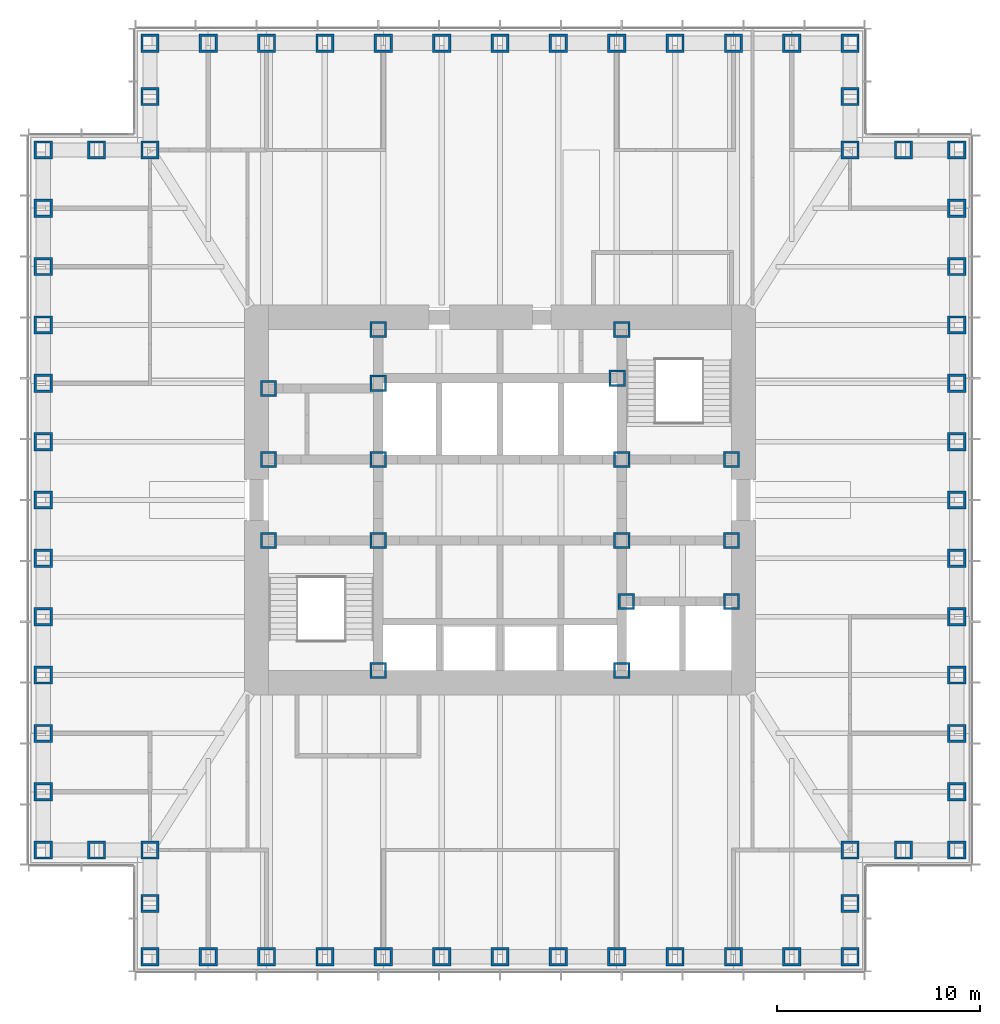
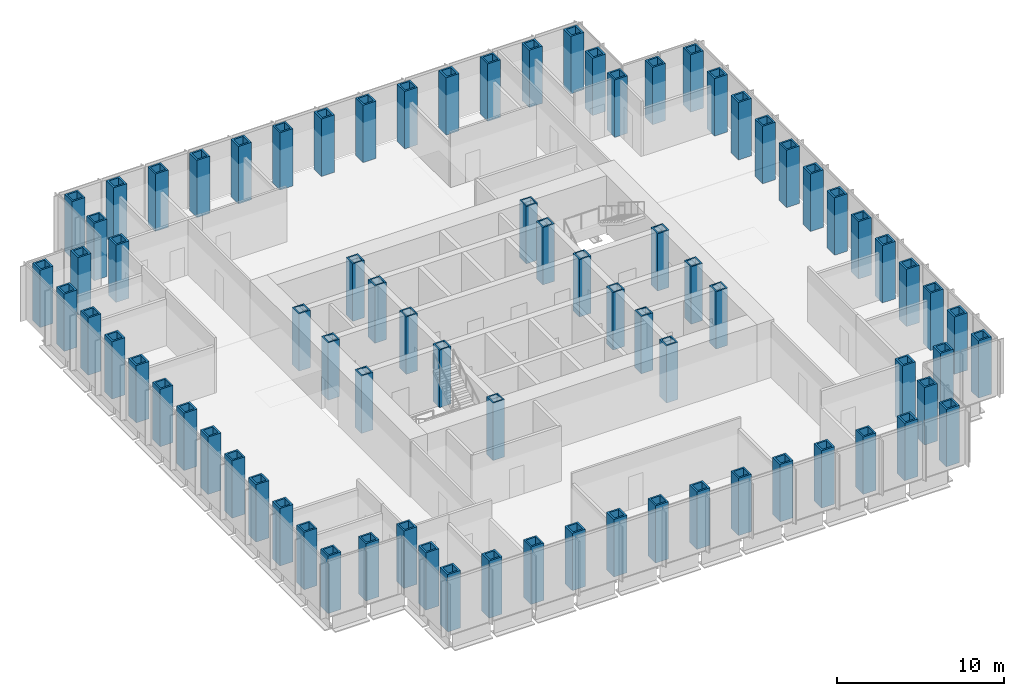
# One storey, part 1 of 17: 81 columns.
"""IFC4 building model written with IfcOpenShell, lengths in metres."""

from ifc_helpers import new_model, si_unit, direction, frame, origin, origin_2d, place, context, subcontext, project, spatial, hollow_rectangle, extrude, material, material_profile, profile_set, type_object, element, save


model = new_model("IFC4")

# Units and contexts
model_context = context("Model", 3, precision=1e-05, world=origin(), true_north=direction((0.0, 1.0)))
body_context = subcontext(model_context, "Body", "Model", "MODEL_VIEW")
ifc_project = project(units=[si_unit("LENGTHUNIT", "METRE"), si_unit("AREAUNIT", "SQUARE_METRE"), si_unit("VOLUMEUNIT", "CUBIC_METRE"), si_unit("PLANEANGLEUNIT", "RADIAN"), si_unit("MASSUNIT", "GRAM", prefix="KILO")], contexts=[model_context])

# Site, building, storey
site_placement = place(None, origin())
site = spatial("IfcSite", under=ifc_project, at=site_placement, CompositionType="ELEMENT")
building_placement = place(site_placement, origin())
building = spatial("IfcBuilding", under=site, at=building_placement, Name="Daluyong Arena Tower", CompositionType="ELEMENT")
storey_placement = place(building_placement, frame((0.0, 0.0, 145.89990234375)))
storey = spatial("IfcBuildingStorey", under=building, at=storey_placement, Name="L32", CompositionType="ELEMENT", Elevation=145.89990234375)

# Columns
ifc_material_1 = material(Name="Steel ASTM A572 Grade 50", Category="steel")
ifc_material_profile_1 = material_profile(ifc_material_1, hollow_rectangle(XDim=0.800048828125, YDim=0.800048828125, WallThickness=0.1, at=origin_2d()))
ifc_profile_set_1 = profile_set([ifc_material_profile_1], Name="Steel ASTM A572 Grade 50")
column_type_1 = type_object("IfcColumnType", Name="Core boundary column BX800X100", PredefinedType="COLUMN", material=ifc_profile_set_1)
for number, where, z_axis, x_axis, name in (
    (1, (44.60009765625, 78.0, 0.0), (0.0, 0.0, 1.0), (1.0, 0.0, 0.0), "core boundary column BC2"),
    (2, (44.60009765625, 82.0, 0.0), (0.0, 0.0, 1.0), (1.0, 0.0, 0.0), "core boundary column BC2"),
    (3, (44.60009765625, 85.5, 0.0), (0.0, 0.0, 1.0), (1.0, 0.0, 0.0), "core boundary column BC2"),
    (4, (50.0, 71.60009765625, 0.0), (0.0, 0.0, 1.0), (1.0, 0.0, 0.0), "core boundary column BC2"),
    (5, (50.0, 78.0, 0.0), (0.0, 0.0, 1.0), (1.0, 0.0, 0.0), "core boundary column BC2"),
    (6, (50.0, 82.0, 0.0), (0.0, 0.0, 1.0), (1.0, 0.0, 0.0), "core boundary column BC2"),
    (7, (50.0, 85.75, 0.0), (0.0, 0.0, 1.0), (1.0, 0.0, 0.0), "core boundary column BC2"),
    (8, (50.0, 88.39990234375, 0.0), (0.0, 0.0, 1.0), (1.0, 0.0, 0.0), "core boundary column BC2"),
    (9, (61.77490234375, 86.0, 0.0), (0.0, 0.0, 1.0), (1.0, 0.0, 0.0), "core boundary column BC2"),
    (10, (62.0, 71.60009765625, 0.0), (0.0, 0.0, 1.0), (1.0, 0.0, 0.0), "core boundary column BC2"),
    (11, (62.0, 78.0, 0.0), (0.0, 0.0, 1.0), (1.0, 0.0, 0.0), "core boundary column BC2"),
    (12, (62.0, 82.0, 0.0), (0.0, 0.0, 1.0), (1.0, 0.0, 0.0), "core boundary column BC2"),
    (13, (62.0, 88.39990234375, 0.0), (0.0, 0.0, 1.0), (1.0, 0.0, 0.0), "core boundary column BC2"),
    (14, (62.22509765625, 75.0, 0.0), (0.0, 0.0, 1.0), (1.0, 0.0, 0.0), "core boundary column BC2"),
    (15, (67.39990234375, 75.0, 0.0), (0.0, 0.0, 1.0), (1.0, 0.0, 0.0), "core boundary column BC2"),
    (16, (67.39990234375, 78.0, 0.0), (0.0, 0.0, 1.0), (1.0, 0.0, 0.0), "core boundary column BC2"),
    (17, (67.39990234375, 82.0, 0.0), (0.0, 0.0, 1.0), (1.0, 0.0, 0.0), "core boundary column BC2"),
):
    element("IfcColumn", number, at=place(storey_placement, frame(where, z_axis=z_axis, x_axis=x_axis)), inside=storey, type_object=column_type_1, Name=name, PredefinedType="COLUMN", context=body_context, shape_type="SweptSolid", body=[
        extrude(hollow_rectangle(XDim=0.800048828125, YDim=0.800048828125, WallThickness=0.1, at=origin_2d()), origin(), (0.0, 0.0, 1.0), 4.2001953125),
    ])
ifc_material_2 = material(Name="Steel ASTM A588 Grade 50", Category="steel")
ifc_material_profile_2 = material_profile(ifc_material_2, hollow_rectangle(XDim=0.89990234375, YDim=0.89990234375, WallThickness=0.12, at=origin_2d()))
ifc_profile_set_2 = profile_set([ifc_material_profile_2], Name="Steel ASTM A588 Grade 50")
column_type_2 = type_object("IfcColumnType", Name="Tube column BX900X120 BX900X120", PredefinedType="COLUMN", material=ifc_profile_set_2)
for number, where, z_axis, x_axis, name in (
    (18, (38.75, 57.5, 0.0), (0.0, 0.0, 1.0), (1.0, 0.0, 0.0), "tube column bx900x120 TC4"),
    (19, (41.625, 57.5, 0.0), (0.0, 0.0, 1.0), (1.0, 0.0, 0.0), "tube column bx900x120 TC4"),
    (20, (44.5, 57.5, 0.0), (0.0, 0.0, 1.0), (1.0, 0.0, 0.0), "tube column bx900x120 TC4"),
    (21, (47.375, 57.5, 0.0), (0.0, 0.0, 1.0), (1.0, 0.0, 0.0), "tube column bx900x120 TC4"),
    (22, (50.25, 57.5, 0.0), (0.0, 0.0, 1.0), (1.0, 0.0, 0.0), "tube column bx900x120 TC4"),
    (23, (53.125, 57.5, 0.0), (0.0, 0.0, 1.0), (1.0, 0.0, 0.0), "tube column bx900x120 TC4"),
    (24, (56.0, 57.5, 0.0), (0.0, 0.0, 1.0), (1.0, 0.0, 0.0), "tube column bx900x120 TC4"),
    (25, (58.875, 57.5, 0.0), (0.0, 0.0, 1.0), (1.0, 0.0, 0.0), "tube column bx900x120 TC4"),
    (26, (61.75, 57.5, 0.0), (0.0, 0.0, 1.0), (1.0, 0.0, 0.0), "tube column bx900x120 TC4"),
    (27, (64.625, 57.5, 0.0), (0.0, 0.0, 1.0), (1.0, 0.0, 0.0), "tube column bx900x120 TC4"),
    (28, (67.5, 57.5, 0.0), (0.0, 0.0, 1.0), (1.0, 0.0, 0.0), "tube column bx900x120 TC4"),
    (29, (70.375, 57.5, 0.0), (0.0, 0.0, 1.0), (1.0, 0.0, 0.0), "tube column bx900x120 TC4"),
    (30, (73.25, 57.5, 0.0), (0.0, 0.0, 1.0), (0.0, 1.0, 0.0), "tube column bx900x120 TC4"),
    (31, (73.25, 60.125, 0.0), (0.0, 0.0, 1.0), (0.0, 1.0, 0.0), "tube column bx900x120 TC4"),
    (32, (73.25, 62.75, 0.0), (0.0, 0.0, 1.0), (1.0, 0.0, 0.0), "tube column bx900x120 TC4"),
    (33, (75.875, 62.75, 0.0), (0.0, 0.0, 1.0), (1.0, 0.0, 0.0), "tube column bx900x120 TC4"),
    (34, (78.5, 62.75, 0.0), (0.0, 0.0, 1.0), (0.0, 1.0, 0.0), "tube column bx900x120 TC4"),
    (35, (78.5, 65.625, 0.0), (0.0, 0.0, 1.0), (0.0, 1.0, 0.0), "tube column bx900x120 TC4"),
    (36, (78.5, 68.5, 0.0), (0.0, 0.0, 1.0), (0.0, 1.0, 0.0), "tube column bx900x120 TC4"),
    (37, (78.5, 71.375, 0.0), (0.0, 0.0, 1.0), (0.0, 1.0, 0.0), "tube column bx900x120 TC4"),
    (38, (78.5, 74.25, 0.0), (0.0, 0.0, 1.0), (0.0, 1.0, 0.0), "tube column bx900x120 TC4"),
    (39, (78.5, 77.125, 0.0), (0.0, 0.0, 1.0), (0.0, 1.0, 0.0), "tube column bx900x120 TC4"),
    (40, (78.5, 80.0, 0.0), (0.0, 0.0, 1.0), (0.0, 1.0, 0.0), "tube column bx900x120 TC4"),
    (41, (78.5, 82.875, 0.0), (0.0, 0.0, 1.0), (0.0, 1.0, 0.0), "tube column bx900x120 TC4"),
    (42, (78.5, 85.75, 0.0), (0.0, 0.0, 1.0), (0.0, 1.0, 0.0), "tube column bx900x120 TC4"),
    (43, (78.5, 88.625, 0.0), (0.0, 0.0, 1.0), (0.0, 1.0, 0.0), "tube column bx900x120 TC4"),
    (44, (78.5, 91.5, 0.0), (0.0, 0.0, 1.0), (0.0, 1.0, 0.0), "tube column bx900x120 TC4"),
    (45, (78.5, 94.375, 0.0), (0.0, 0.0, 1.0), (0.0, 1.0, 0.0), "tube column bx900x120 TC4"),
    (46, (78.5, 97.25, 0.0), (0.0, 0.0, 1.0), (1.0, 0.0, 0.0), "tube column bx900x120 TC4"),
    (47, (75.875, 97.25, 0.0), (0.0, 0.0, 1.0), (1.0, 0.0, 0.0), "tube column bx900x120 TC4"),
    (48, (73.25, 97.25, 0.0), (0.0, 0.0, 1.0), (0.0, 1.0, 0.0), "tube column bx900x120 TC4"),
    (49, (73.25, 99.875, 0.0), (0.0, 0.0, 1.0), (0.0, 1.0, 0.0), "tube column bx900x120 TC4"),
    (50, (73.25, 102.5, 0.0), (0.0, 0.0, 1.0), (1.0, 0.0, 0.0), "tube column bx900x120 TC4"),
    (51, (70.375, 102.5, 0.0), (0.0, 0.0, 1.0), (1.0, 0.0, 0.0), "tube column bx900x120 TC4"),
    (52, (67.5, 102.5, 0.0), (0.0, 0.0, 1.0), (1.0, 0.0, 0.0), "tube column bx900x120 TC4"),
    (53, (64.625, 102.5, 0.0), (0.0, 0.0, 1.0), (1.0, 0.0, 0.0), "tube column bx900x120 TC4"),
    (54, (61.75, 102.5, 0.0), (0.0, 0.0, 1.0), (1.0, 0.0, 0.0), "tube column bx900x120 TC4"),
    (55, (58.875, 102.5, 0.0), (0.0, 0.0, 1.0), (1.0, 0.0, 0.0), "tube column bx900x120 TC4"),
    (56, (56.0, 102.5, 0.0), (0.0, 0.0, 1.0), (1.0, 0.0, 0.0), "tube column bx900x120 TC4"),
    (57, (53.125, 102.5, 0.0), (0.0, 0.0, 1.0), (1.0, 0.0, 0.0), "tube column bx900x120 TC4"),
    (58, (50.25, 102.5, 0.0), (0.0, 0.0, 1.0), (1.0, 0.0, 0.0), "tube column bx900x120 TC4"),
    (59, (47.375, 102.5, 0.0), (0.0, 0.0, 1.0), (1.0, 0.0, 0.0), "tube column bx900x120 TC4"),
    (60, (44.5, 102.5, 0.0), (0.0, 0.0, 1.0), (1.0, 0.0, 0.0), "tube column bx900x120 TC4"),
    (61, (41.625, 102.5, 0.0), (0.0, 0.0, 1.0), (1.0, 0.0, 0.0), "tube column bx900x120 TC4"),
    (62, (38.75, 102.5, 0.0), (0.0, 0.0, 1.0), (0.0, 1.0, 0.0), "tube column bx900x120 TC4"),
    (63, (38.75, 99.875, 0.0), (0.0, 0.0, 1.0), (0.0, 1.0, 0.0), "tube column bx900x120 TC4"),
    (64, (38.75, 97.25, 0.0), (0.0, 0.0, 1.0), (1.0, 0.0, 0.0), "tube column bx900x120 TC4"),
    (65, (36.125, 97.25, 0.0), (0.0, 0.0, 1.0), (1.0, 0.0, 0.0), "tube column bx900x120 TC4"),
    (66, (33.5, 97.25, 0.0), (0.0, 0.0, 1.0), (0.0, 1.0, 0.0), "tube column bx900x120 TC4"),
    (67, (33.5, 94.375, 0.0), (0.0, 0.0, 1.0), (0.0, 1.0, 0.0), "tube column bx900x120 TC4"),
    (68, (33.5, 91.5, 0.0), (0.0, 0.0, 1.0), (0.0, 1.0, 0.0), "tube column bx900x120 TC4"),
    (69, (33.5, 88.625, 0.0), (0.0, 0.0, 1.0), (0.0, 1.0, 0.0), "tube column bx900x120 TC4"),
    (70, (33.5, 85.75, 0.0), (0.0, 0.0, 1.0), (0.0, 1.0, 0.0), "tube column bx900x120 TC4"),
    (71, (33.5, 82.875, 0.0), (0.0, 0.0, 1.0), (0.0, 1.0, 0.0), "tube column bx900x120 TC4"),
    (72, (33.5, 80.0, 0.0), (0.0, 0.0, 1.0), (0.0, 1.0, 0.0), "tube column bx900x120 TC4"),
    (73, (33.5, 77.125, 0.0), (0.0, 0.0, 1.0), (0.0, 1.0, 0.0), "tube column bx900x120 TC4"),
    (74, (33.5, 74.25, 0.0), (0.0, 0.0, 1.0), (0.0, 1.0, 0.0), "tube column bx900x120 TC4"),
    (75, (33.5, 71.375, 0.0), (0.0, 0.0, 1.0), (0.0, 1.0, 0.0), "tube column bx900x120 TC4"),
    (76, (33.5, 68.5, 0.0), (0.0, 0.0, 1.0), (0.0, 1.0, 0.0), "tube column bx900x120 TC4"),
    (77, (33.5, 65.625, 0.0), (0.0, 0.0, 1.0), (0.0, 1.0, 0.0), "tube column bx900x120 TC4"),
    (78, (33.5, 62.75, 0.0), (0.0, 0.0, 1.0), (1.0, 0.0, 0.0), "tube column bx900x120 TC4"),
    (79, (36.125, 62.75, 0.0), (0.0, 0.0, 1.0), (1.0, 0.0, 0.0), "tube column bx900x120 TC4"),
    (80, (38.75, 62.75, 0.0), (0.0, 0.0, 1.0), (0.0, 1.0, 0.0), "tube column bx900x120 TC4"),
    (81, (38.75, 60.125, 0.0), (0.0, 0.0, 1.0), (0.0, 1.0, 0.0), "tube column bx900x120 TC4"),
):
    element("IfcColumn", number, at=place(storey_placement, frame(where, z_axis=z_axis, x_axis=x_axis)), inside=storey, type_object=column_type_2, Name=name, PredefinedType="COLUMN", context=body_context, shape_type="SweptSolid", body=[
        extrude(hollow_rectangle(XDim=0.89990234375, YDim=0.89990234375, WallThickness=0.12, at=origin_2d()), origin(), (0.0, 0.0, 1.0), 4.2001953125),
    ])

save(model, "model.ifc")
